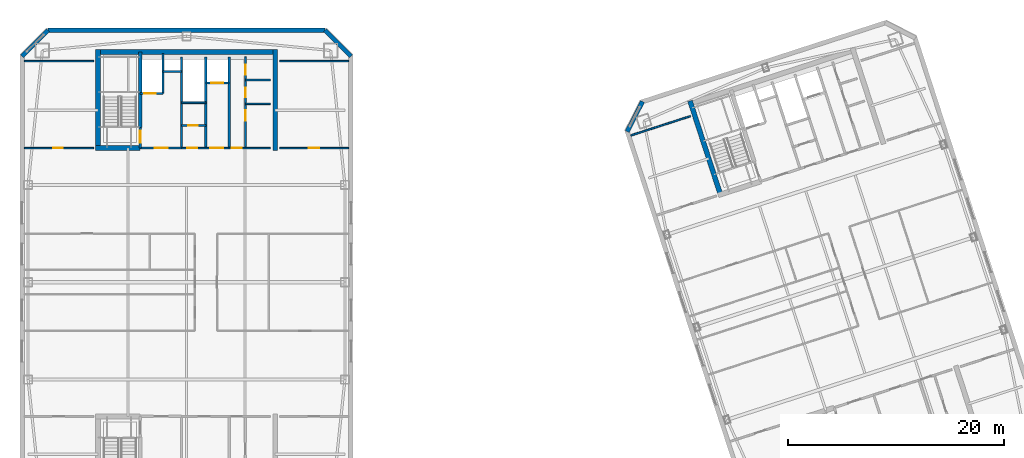
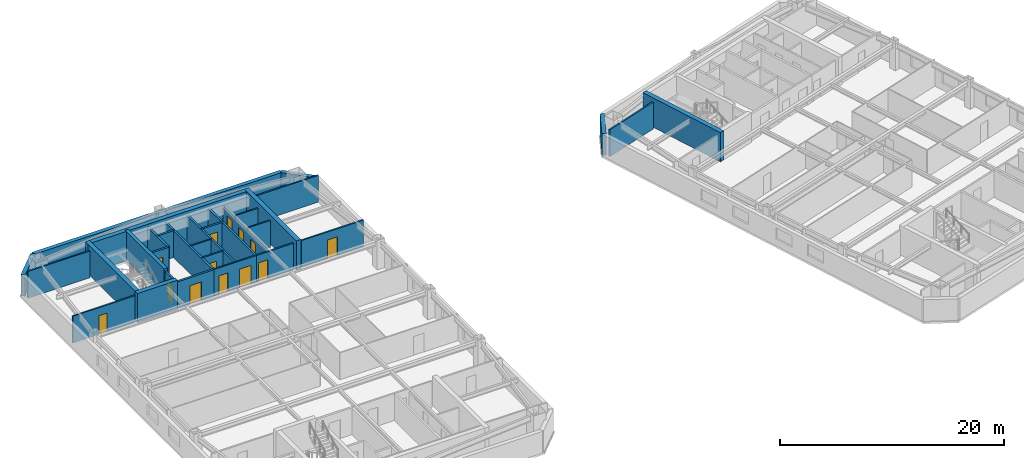
# One storey, part 14 of 20: 31 walls, 13 doors, 13 openings.
"""IFC4 building model written with IfcOpenShell, lengths in metres."""

from ifc_helpers import new_model, si_unit, direction, frame, frame_2d, origin, place, context, subcontext, project, spatial, rectangle, extrude, material, layer, layer_set, type_object, element, fill, save


model = new_model("IFC4")

# Units and contexts
model_context = context("Model", 3, precision=1e-05, world=origin(), true_north=direction((0.0, 1.0)))
body_context = subcontext(model_context, "Body", "Model", "MODEL_VIEW")
ifc_project = project(units=[si_unit("LENGTHUNIT", "METRE"), si_unit("AREAUNIT", "SQUARE_METRE"), si_unit("VOLUMEUNIT", "CUBIC_METRE"), si_unit("PLANEANGLEUNIT", "RADIAN"), si_unit("MASSUNIT", "GRAM", prefix="KILO")], contexts=[model_context])

# Site, building, storey
site_placement = place(None, origin())
site = spatial("IfcSite", under=ifc_project, at=site_placement, CompositionType="ELEMENT")
building_placement = place(site_placement, origin())
building = spatial("IfcBuilding", under=site, at=building_placement, Name="Qiaolan Cultural Towers", CompositionType="ELEMENT")
storey_placement = place(building_placement, frame((0.0, 0.0, 244.0)))
storey = spatial("IfcBuildingStorey", under=building, at=storey_placement, Name="L66", CompositionType="ELEMENT", Elevation=244.0)

# Walls
ifc_material_1 = material(Name="Concrete C50", Category="concrete")
ifc_layer_1 = layer(ifc_material_1, 0.35009765625)
ifc_layer_set_1 = layer_set([ifc_layer_1], Name="Concrete C50")
wall_type_1 = type_object("IfcWallType", Name="WL-CORE-350", PredefinedType="SHEAR", material=ifc_layer_set_1)
wall_1_placement = place(storey_placement, frame((25.719970703125, 48.300048828125, 0.0), z_axis=(0.0, 0.0, 1.0), x_axis=(0.0, 1.0, 0.0)))
element("IfcWall", 1, at=wall_1_placement, inside=storey, type_object=wall_type_1, Name="L66 T1-CN Stair Core Dividing Web", PredefinedType="SHEAR", context=body_context, shape_type="SweptSolid", body=[
    extrude(rectangle(XDim=6.97998046875, YDim=0.35009765625, at=frame_2d((3.489990234375, 0.0))), origin(), (0.0, 0.0, 1.0), 3.199951171875),
])
ifc_material_2 = material(Name="Concrete C50", Category="concrete")
ifc_layer_2 = layer(ifc_material_2, 0.449951171875)
ifc_layer_set_2 = layer_set([ifc_layer_2], Name="Concrete C50")
wall_type_2 = type_object("IfcWallType", Name="WL-CORE-450", PredefinedType="SHEAR", material=ifc_layer_set_2)
wall_2_placement = place(storey_placement, frame((21.574951171875, 55.280029296875, 0.0), z_axis=(0.0, 0.0, 1.0), x_axis=(1.0, 0.0, 0.0)))
element("IfcWall", 2, at=wall_2_placement, inside=storey, type_object=wall_type_2, Name="L66 T1-CN Outer Core Shear Wall", PredefinedType="SHEAR", context=body_context, shape_type="SweptSolid", body=[
    extrude(rectangle(XDim=16.85009765625, YDim=0.449951171875, at=frame_2d((8.425048828125, 0.0))), origin(), (0.0, 0.0, 1.0), 3.199951171875),
])
for number, where, z_axis, x_axis, name in (
    (3, (21.800048828125, 46.175048828125, 0.0), (0.0, 0.0, 1.0), (0.0, 1.0, 0.0), "L66 T1-CN West Core Shear Wall"),
    (4, (38.199951171875, 46.175048828125, 0.0), (0.0, 0.0, 1.0), (0.0, 1.0, 0.0), "L66 T1-CN East Core Shear Wall"),
):
    element("IfcWall", number, at=place(storey_placement, frame(where, z_axis=z_axis, x_axis=x_axis)), inside=storey, type_object=wall_type_2, Name=name, PredefinedType="SHEAR", context=body_context, shape_type="SweptSolid", body=[
        extrude(rectangle(XDim=9.329833984375, YDim=0.449951171875, at=frame_2d((4.6650390625, 0.0))), origin(), (0.0, 0.0, 1.0), 3.199951171875),
    ])
wall_3_placement = place(storey_placement, frame((21.574951171875, 46.39990234375, 0.0), z_axis=(0.0, 0.0, 1.0), x_axis=(1.0, 0.0, 0.0)))
element("IfcWall", 5, at=wall_3_placement, inside=storey, type_object=wall_type_2, Name="L66 T1-CN Stair Front Shear Wall", PredefinedType="SHEAR", context=body_context, shape_type="SweptSolid", body=[
    extrude(rectangle(XDim=4.14501953125, YDim=0.449951171875, at=frame_2d((2.072509765625, 0.0))), origin(), (0.0, 0.0, 1.0), 3.199951171875),
])
wall_4_placement = place(storey_placement, frame((79.4423828125, 41.899169921875, 0.0), z_axis=(0.0, 0.0, 1.0), x_axis=(-0.309035778627, 0.951050412717, 0.0)))
element("IfcWall", 6, at=wall_4_placement, inside=storey, type_object=wall_type_2, Name="L66 T2-CN West Core Shear Wall", PredefinedType="SHEAR", context=body_context, shape_type="SweptSolid", body=[
    extrude(rectangle(XDim=9.330078125, YDim=0.449951171875, at=frame_2d((4.6650390625, 0.0))), origin(), (0.0, 0.0, 1.0), 3.199951171875),
])
ifc_material_3 = material(Name="Precast Concrete C50 Honed Stone Pier", Category="masonry")
ifc_layer_3 = layer(ifc_material_3, 0.39990234375)
ifc_layer_set_3 = layer_set([ifc_layer_3], Name="Precast Concrete C50 Honed Stone Pier")
wall_type_3 = type_object("IfcWallType", Name="WL-EXT-PIER-400", PredefinedType="SOLIDWALL", material=ifc_layer_set_3)
wall_5_placement = place(storey_placement, frame((14.800048828125, 54.89990234375, 0.0), z_axis=(0.0, 0.0, 1.0), x_axis=(0.707070815327, 0.707142745217, 0.0)))
element("IfcWall", 7, at=wall_5_placement, inside=storey, type_object=wall_type_3, Name="L66 West Tower Precast Pier Facade Wall F2", PredefinedType="SOLIDWALL", context=body_context, shape_type="SweptSolid", body=[
    extrude(rectangle(XDim=3.39404296875, YDim=0.39990234375, at=frame_2d((1.697021484375, 0.0))), origin(), (0.0, 0.0, 1.0), 2.360107421875),
])
wall_6_placement = place(storey_placement, frame((17.199951171875, 57.300048828125, 0.0), z_axis=(0.0, 0.0, 1.0), x_axis=(1.0, 0.0, 0.0)))
element("IfcWall", 8, at=wall_6_placement, inside=storey, type_object=wall_type_3, Name="L66 West Tower Precast Pier Facade Wall F3", PredefinedType="SOLIDWALL", context=body_context, shape_type="SweptSolid", body=[
    extrude(rectangle(XDim=25.60009765625, YDim=0.39990234375, at=frame_2d((12.800048828125, 0.0))), origin(), (0.0, 0.0, 1.0), 2.360107421875),
])
wall_7_placement = place(storey_placement, frame((42.800048828125, 57.300048828125, 0.0), z_axis=(0.0, 0.0, 1.0), x_axis=(0.707070815327, -0.707142745217, 0.0)))
element("IfcWall", 9, at=wall_7_placement, inside=storey, type_object=wall_type_3, Name="L66 West Tower Precast Pier Facade Wall F4", PredefinedType="SOLIDWALL", context=body_context, shape_type="SweptSolid", body=[
    extrude(rectangle(XDim=3.39404296875, YDim=0.39990234375, at=frame_2d((1.697021484375, 0.0))), origin(), (0.0, 0.0, 1.0), 2.360107421875),
])
wall_8_placement = place(storey_placement, frame((70.752197265625, 47.93408203125, 0.0), z_axis=(0.0, 0.0, 1.0), x_axis=(0.453949291228, 0.891027519774, 0.0)))
element("IfcWall", 10, at=wall_8_placement, inside=storey, type_object=wall_type_3, Name="L66 East Tower Precast Pier Facade Wall F2", PredefinedType="SOLIDWALL", context=body_context, shape_type="SweptSolid", body=[
    extrude(rectangle(XDim=3.111328125, YDim=0.39990234375, at=frame_2d((1.5556640625, 0.0))), origin(), (0.0, 0.0, 1.0), 2.360107421875),
])

# Wall, opening, door
ifc_material_4 = material(Name="Concrete C35 Fire Wall", Category="concrete")
ifc_layer_4 = layer(ifc_material_4, 0.199951171875)
ifc_layer_set_4 = layer_set([ifc_layer_4], Name="Concrete C35 Fire Wall")
wall_type_4 = type_object("IfcWallType", Name="WL-FIRE-200", PredefinedType="PARTITIONING", material=ifc_layer_set_4)
wall_9_placement = place(storey_placement, frame((25.719970703125, 46.39990234375, 0.0), z_axis=(0.0, 0.0, 1.0), x_axis=(0.0, 1.0, 0.0)))
wall_9 = element("IfcWall", 11, at=wall_9_placement, inside=storey, type_object=wall_type_4, Name="L66 T1-CN Smokeproof Stair Entry Wall", PredefinedType="PARTITIONING", context=body_context, shape_type="SweptSolid", body=[
    extrude(rectangle(XDim=1.900146484375, YDim=0.199951171875, at=frame_2d((0.9501953125, 0.0))), origin(), (0.0, 0.0, 1.0), 2.925048828125),
])
opening_1_placement = place(wall_9_placement, frame((0.52001953125, 0.0, 0.0)))
opening_1 = element("IfcOpeningElement", 12, at=opening_1_placement, cuts=wall_9, Name="Opening FD-04", PredefinedType="OPENING", context=body_context, shape_type="SweptSolid", body=[
    extrude(rectangle(XDim=1.10009765625, YDim=2.050048828125, at=frame_2d((0.550048828125, 1.02490234375))), frame((0.0, 0.10986328125, 0.0), z_axis=(0.0, -1.0, 0.0), x_axis=(1.0, 0.0, 0.0)), (0.0, 0.0, 1.0), 0.219970703125),
])
ifc_material_5 = material(Name="Galvanized Steel Command Fire Door", Category="steel")
door_type_1 = type_object("IfcDoorType", Name="DR-FD90-1100", OperationType="NOTDEFINED", PredefinedType="DOOR", material=ifc_material_5)
door_1_placement = place(opening_1_placement, origin())
door_1 = element("IfcDoor", 13, at=door_1_placement, inside=storey, type_object=door_type_1, Name="L66 ST-W2 Smokeproof Stair Fire Door", OperationType="SINGLE_SWING_LEFT", OverallHeight=2.050048828125, OverallWidth=1.10009765625, PredefinedType="DOOR", context=body_context, shape_type="SweptSolid", body=[
    extrude(rectangle(XDim=1.10009765625, YDim=2.050048828125, at=frame_2d((0.550048828125, 1.02490234375))), frame((0.0, 0.02490234375, 0.0), z_axis=(0.0, -1.0, 0.0), x_axis=(1.0, 0.0, 0.0)), (0.0, 0.0, 1.0), 0.050048828125),
])
fill(opening_1, door_1)

# Wall
wall_10_placement = place(storey_placement, frame((29.550048828125, 46.39990234375, 0.0), z_axis=(0.0, 0.0, 1.0), x_axis=(0.0, 1.0, 0.0)))
element("IfcWall", 14, at=wall_10_placement, inside=storey, type_object=wall_type_4, Name="L66 T1-CN Firefighting Zone Wall", PredefinedType="PARTITIONING", context=body_context, shape_type="SweptSolid", body=[
    extrude(rectangle(XDim=8.43017578125, YDim=0.199951171875, at=frame_2d((4.215087890625, 0.0))), origin(), (0.0, 0.0, 1.0), 2.925048828125),
])

# Wall, opening, door
wall_11_placement = place(storey_placement, frame((25.719970703125, 46.39990234375, 0.0), z_axis=(0.0, 0.0, 1.0), x_axis=(1.0, 0.0, 0.0)))
wall_11 = element("IfcWall", 15, at=wall_11_placement, inside=storey, type_object=wall_type_4, Name="L66 T1-CN Firefighting Lobby Front Wall", PredefinedType="PARTITIONING", context=body_context, shape_type="SweptSolid", body=[
    extrude(rectangle(XDim=3.830078125, YDim=0.199951171875, at=frame_2d((1.9150390625, 0.0))), origin(), (0.0, 0.0, 1.0), 2.925048828125),
])
opening_2_placement = place(wall_11_placement, frame((1.35009765625, 0.0, 0.0)))
opening_2 = element("IfcOpeningElement", 16, at=opening_2_placement, cuts=wall_11, Name="Opening FD-03", PredefinedType="OPENING", context=body_context, shape_type="SweptSolid", body=[
    extrude(rectangle(XDim=1.199951171875, YDim=2.050048828125, at=frame_2d((0.60009765625, 1.02490234375))), frame((0.0, 0.10986328125, 0.0), z_axis=(0.0, -1.0, 0.0), x_axis=(1.0, 0.0, 0.0)), (0.0, 0.0, 1.0), 0.219970703125),
])
ifc_material_6 = material(Name="Galvanized Steel Smokeproof Lobby Fire Door", Category="steel")
door_type_2 = type_object("IfcDoorType", Name="DR-FD90-1200", OperationType="NOTDEFINED", PredefinedType="DOOR", material=ifc_material_6)
door_2_placement = place(opening_2_placement, origin())
door_2 = element("IfcDoor", 17, at=door_2_placement, inside=storey, type_object=door_type_2, Name="L66 FFL-W2 Firefighting Lobby Fire Door", OperationType="SINGLE_SWING_LEFT", OverallHeight=2.050048828125, OverallWidth=1.199951171875, PredefinedType="DOOR", context=body_context, shape_type="SweptSolid", body=[
    extrude(rectangle(XDim=1.199951171875, YDim=2.050048828125, at=frame_2d((0.60009765625, 1.02490234375))), frame((0.0, 0.02490234375, 0.0), z_axis=(0.0, -1.0, 0.0), x_axis=(1.0, 0.0, 0.0)), (0.0, 0.0, 1.0), 0.050048828125),
])
fill(opening_2, door_2)

wall_12_placement = place(storey_placement, frame((25.719970703125, 51.449951171875, 0.0), z_axis=(0.0, 0.0, 1.0), x_axis=(1.0, 0.0, 0.0)))
wall_12 = element("IfcWall", 18, at=wall_12_placement, inside=storey, type_object=wall_type_4, Name="L66 T1-CN Firefighting Shaft Front Wall", PredefinedType="PARTITIONING", context=body_context, shape_type="SweptSolid", body=[
    extrude(rectangle(XDim=2.10009765625, YDim=0.199951171875, at=frame_2d((1.050048828125, 0.0))), origin(), (0.0, 0.0, 1.0), 2.925048828125),
])
opening_3_placement = place(wall_12_placement, frame((0.35009765625, 0.0, 0.0)))
opening_3 = element("IfcOpeningElement", 19, at=opening_3_placement, cuts=wall_12, Name="Opening LD-01", PredefinedType="OPENING", context=body_context, shape_type="SweptSolid", body=[
    extrude(rectangle(XDim=1.10009765625, YDim=2.050048828125, at=frame_2d((0.550048828125, 1.02490234375))), frame((0.0, 0.10986328125, 0.0), z_axis=(0.0, -1.0, 0.0), x_axis=(1.0, 0.0, 0.0)), (0.0, 0.0, 1.0), 0.219970703125),
])
ifc_material_7 = material(Name="Brushed Stainless Steel S30408 Centre-Parting Lift Landing Door", Category="steel")
door_type_3 = type_object("IfcDoorType", Name="DR-LIFT-1100", OperationType="NOTDEFINED", PredefinedType="DOOR", material=ifc_material_7)
door_3_placement = place(opening_3_placement, origin())
door_3 = element("IfcDoor", 20, at=door_3_placement, inside=storey, type_object=door_type_3, Name="L66 FFL-W2 Firefighting Lift Landing Door", OperationType="DOUBLE_DOOR_SLIDING", OverallHeight=2.050048828125, OverallWidth=1.10009765625, PredefinedType="DOOR", context=body_context, shape_type="SweptSolid", body=[
    extrude(rectangle(XDim=1.10009765625, YDim=2.050048828125, at=frame_2d((0.550048828125, 1.02490234375))), frame((0.0, 0.02490234375, 0.0), z_axis=(0.0, -1.0, 0.0), x_axis=(1.0, 0.0, 0.0)), (0.0, 0.0, 1.0), 0.050048828125),
])
fill(opening_3, door_3)

# Walls
wall_13_placement = place(storey_placement, frame((27.820068359375, 51.449951171875, 0.0), z_axis=(0.0, 0.0, 1.0), x_axis=(0.0, 1.0, 0.0)))
element("IfcWall", 21, at=wall_13_placement, inside=storey, type_object=wall_type_4, Name="L66 T1-CN Firefighting Hoistway East Wall", PredefinedType="PARTITIONING", context=body_context, shape_type="SweptSolid", body=[
    extrude(rectangle(XDim=3.699951171875, YDim=0.199951171875, at=frame_2d((1.85009765625, 0.0))), origin(), (0.0, 0.0, 1.0), 2.925048828125),
])
wall_14_placement = place(storey_placement, frame((27.820068359375, 53.47998046875, 0.0), z_axis=(0.0, 0.0, 1.0), x_axis=(1.0, 0.0, 0.0)))
element("IfcWall", 22, at=wall_14_placement, inside=storey, type_object=wall_type_4, Name="L66 T1-CN Pressurization Shaft Front Wall", PredefinedType="PARTITIONING", context=body_context, shape_type="SweptSolid", body=[
    extrude(rectangle(XDim=1.72998046875, YDim=0.199951171875, at=frame_2d((0.864990234375, 0.0))), origin(), (0.0, 0.0, 1.0), 2.925048828125),
])
for number, where, z_axis, x_axis, name in (
    (23, (33.949951171875, 46.39990234375, 0.0), (0.0, 0.0, 1.0), (0.0, 1.0, 0.0), "L66 T1-CN Lift Core East Wall"),
    (24, (31.780029296875, 46.39990234375, 0.0), (0.0, 0.0, 1.0), (0.0, 1.0, 0.0), "L66 T1-CN Sky Shuttle Lift Zone Wall"),
):
    element("IfcWall", number, at=place(storey_placement, frame(where, z_axis=z_axis, x_axis=x_axis)), inside=storey, type_object=wall_type_4, Name=name, PredefinedType="PARTITIONING", context=body_context, shape_type="SweptSolid", body=[
        extrude(rectangle(XDim=8.43017578125, YDim=0.199951171875, at=frame_2d((4.215087890625, 0.0))), origin(), (0.0, 0.0, 1.0), 2.925048828125),
    ])

# Wall, opening, door
wall_15_placement = place(storey_placement, frame((31.780029296875, 52.419921875, 0.0), z_axis=(0.0, 0.0, 1.0), x_axis=(1.0, 0.0, 0.0)))
wall_15 = element("IfcWall", 25, at=wall_15_placement, inside=storey, type_object=wall_type_4, Name="L66 T1-CN Shuttle Lift Shaft Front", PredefinedType="PARTITIONING", context=body_context, shape_type="SweptSolid", body=[
    extrude(rectangle(XDim=2.169921875, YDim=0.199951171875, at=frame_2d((1.0849609375, 0.0))), origin(), (0.0, 0.0, 1.0), 2.925048828125),
])
opening_4_placement = place(wall_15_placement, frame((0.52001953125, 0.0, 0.0)))
opening_4 = element("IfcOpeningElement", 26, at=opening_4_placement, cuts=wall_15, Name="Opening LD-01", PredefinedType="OPENING", context=body_context, shape_type="SweptSolid", body=[
    extrude(rectangle(XDim=1.10009765625, YDim=2.050048828125, at=frame_2d((0.550048828125, 1.02490234375))), frame((0.0, 0.10986328125, 0.0), z_axis=(0.0, -1.0, 0.0), x_axis=(1.0, 0.0, 0.0)), (0.0, 0.0, 1.0), 0.219970703125),
])
door_4_placement = place(opening_4_placement, origin())
door_4 = element("IfcDoor", 27, at=door_4_placement, inside=storey, type_object=door_type_3, Name="L66 Sky Shuttle Lift Landing Door", OperationType="DOUBLE_DOOR_SLIDING", OverallHeight=2.050048828125, OverallWidth=1.10009765625, PredefinedType="DOOR", context=body_context, shape_type="SweptSolid", body=[
    extrude(rectangle(XDim=1.10009765625, YDim=2.050048828125, at=frame_2d((0.550048828125, 1.02490234375))), frame((0.0, 0.02490234375, 0.0), z_axis=(0.0, -1.0, 0.0), x_axis=(1.0, 0.0, 0.0)), (0.0, 0.0, 1.0), 0.050048828125),
])
fill(opening_4, door_4)

# Wall, openings, doors
ifc_material_8 = material(Name="Autoclaved Aerated Concrete Block B06", Category="concrete")
ifc_layer_5 = layer(ifc_material_8, 0.14990234375)
ifc_layer_set_5 = layer_set([ifc_layer_5], Name="Autoclaved Aerated Concrete Block B06")
wall_type_5 = type_object("IfcWallType", Name="WL-PART-150", PredefinedType="PARTITIONING", material=ifc_layer_set_5)
wall_16_placement = place(storey_placement, frame((29.550048828125, 46.39990234375, 0.0), z_axis=(0.0, 0.0, 1.0), x_axis=(1.0, 0.0, 0.0)))
wall_16 = element("IfcWall", 28, at=wall_16_placement, inside=storey, type_object=wall_type_5, Name="L66 T1-CN High-Zone Lift Lobby Wall", PredefinedType="PARTITIONING", context=body_context, shape_type="SweptSolid", body=[
    extrude(rectangle(XDim=4.39990234375, YDim=0.14990234375, at=frame_2d((2.199951171875, 0.0))), origin(), (0.0, 0.0, 1.0), 2.925048828125),
])
opening_5_placement = place(wall_16_placement, frame((0.5, 0.0, 0.0)))
opening_5 = element("IfcOpeningElement", 29, at=opening_5_placement, cuts=wall_16, Name="Opening ID-05", PredefinedType="OPENING", context=body_context, shape_type="SweptSolid", body=[
    extrude(rectangle(XDim=0.949951171875, YDim=2.050048828125, at=frame_2d((0.47509765625, 1.02490234375))), frame((0.0, 0.0849609375, 0.0), z_axis=(0.0, -1.0, 0.0), x_axis=(1.0, 0.0, 0.0)), (0.0, 0.0, 1.0), 0.169921875),
])
opening_6_placement = place(wall_16_placement, frame((2.64990234375, 0.0, 0.0)))
opening_6 = element("IfcOpeningElement", 30, at=opening_6_placement, cuts=wall_16, Name="Opening FD-06", PredefinedType="OPENING", context=body_context, shape_type="SweptSolid", body=[
    extrude(rectangle(XDim=1.199951171875, YDim=2.050048828125, at=frame_2d((0.60009765625, 1.02490234375))), frame((0.0, 0.0849609375, 0.0), z_axis=(0.0, -1.0, 0.0), x_axis=(1.0, 0.0, 0.0)), (0.0, 0.0, 1.0), 0.169921875),
])
ifc_material_9 = material(Name="Painted Steel Plant Fire Door", Category="steel")
door_type_4 = type_object("IfcDoorType", Name="DR-FD60-1200", OperationType="NOTDEFINED", PredefinedType="DOOR", material=ifc_material_9)
door_5_placement = place(opening_6_placement, origin())
door_5 = element("IfcDoor", 31, at=door_5_placement, inside=storey, type_object=door_type_4, Name="L66 Sky Shuttle Lift Lobby Door", OperationType="SINGLE_SWING_RIGHT", OverallHeight=2.050048828125, OverallWidth=1.199951171875, PredefinedType="DOOR", context=body_context, shape_type="SweptSolid", body=[
    extrude(rectangle(XDim=1.199951171875, YDim=2.050048828125, at=frame_2d((0.60009765625, 1.02490234375))), frame((0.0, 0.02490234375, 0.0), z_axis=(0.0, -1.0, 0.0), x_axis=(1.0, 0.0, 0.0)), (0.0, 0.0, 1.0), 0.050048828125),
])
fill(opening_6, door_5)
ifc_material_10 = material(Name="Fire-Rated Laminate Accessible Core Door", Category="timber")
door_type_5 = type_object("IfcDoorType", Name="DR-INT-950", OperationType="NOTDEFINED", PredefinedType="DOOR", material=ifc_material_10)
door_6_placement = place(opening_5_placement, origin())
door_6 = element("IfcDoor", 32, at=door_6_placement, inside=storey, type_object=door_type_5, Name="L66 Reclaimed Server Room Door", OperationType="SINGLE_SWING_LEFT", OverallHeight=2.050048828125, OverallWidth=0.949951171875, PredefinedType="DOOR", context=body_context, shape_type="SweptSolid", body=[
    extrude(rectangle(XDim=0.949951171875, YDim=2.050048828125, at=frame_2d((0.47509765625, 1.02490234375))), frame((0.0, 0.02490234375, 0.0), z_axis=(0.0, -1.0, 0.0), x_axis=(1.0, 0.0, 0.0)), (0.0, 0.0, 1.0), 0.050048828125),
])
fill(opening_5, door_6)

# Wall
wall_17_placement = place(storey_placement, frame((29.550048828125, 50.60009765625, 0.0), z_axis=(0.0, 0.0, 1.0), x_axis=(1.0, 0.0, 0.0)))
element("IfcWall", 33, at=wall_17_placement, inside=storey, type_object=wall_type_5, Name="L66 T1-CN High-Zone Smoke Shaft Split", PredefinedType="PARTITIONING", context=body_context, shape_type="SweptSolid", body=[
    extrude(rectangle(XDim=2.22998046875, YDim=0.14990234375, at=frame_2d((1.114990234375, 0.0))), origin(), (0.0, 0.0, 1.0), 2.925048828125),
])

# Wall, opening, door
wall_18_placement = place(storey_placement, frame((29.550048828125, 48.5, 0.0), z_axis=(0.0, 0.0, 1.0), x_axis=(1.0, 0.0, 0.0)))
wall_18 = element("IfcWall", 34, at=wall_18_placement, inside=storey, type_object=wall_type_5, Name="L66 T1-CN High-Zone Archive Suite Partition", PredefinedType="PARTITIONING", context=body_context, shape_type="SweptSolid", body=[
    extrude(rectangle(XDim=2.22998046875, YDim=0.14990234375, at=frame_2d((1.114990234375, 0.0))), origin(), (0.0, 0.0, 1.0), 2.925048828125),
])
opening_7_placement = place(wall_18_placement, frame((0.60009765625, 0.0, 0.0)))
opening_7 = element("IfcOpeningElement", 35, at=opening_7_placement, cuts=wall_18, Name="Opening ID-06", PredefinedType="OPENING", context=body_context, shape_type="SweptSolid", body=[
    extrude(rectangle(XDim=0.89990234375, YDim=2.050048828125, at=frame_2d((0.449951171875, 1.02490234375))), frame((0.0, 0.0849609375, 0.0), z_axis=(0.0, -1.0, 0.0), x_axis=(1.0, 0.0, 0.0)), (0.0, 0.0, 1.0), 0.169921875),
])
ifc_material_11 = material(Name="Fire-Rated Laminate Core Service Door", Category="timber")
door_type_6 = type_object("IfcDoorType", Name="DR-INT-900", OperationType="NOTDEFINED", PredefinedType="DOOR", material=ifc_material_11)
door_7_placement = place(opening_7_placement, origin())
door_7 = element("IfcDoor", 36, at=door_7_placement, inside=storey, type_object=door_type_6, Name="L66 Archive Vault Inner Door", OperationType="SINGLE_SWING_LEFT", OverallHeight=2.050048828125, OverallWidth=0.89990234375, PredefinedType="DOOR", context=body_context, shape_type="SweptSolid", body=[
    extrude(rectangle(XDim=0.89990234375, YDim=2.050048828125, at=frame_2d((0.449951171875, 1.02490234375))), frame((0.0, 0.02490234375, 0.0), z_axis=(0.0, -1.0, 0.0), x_axis=(1.0, 0.0, 0.0)), (0.0, 0.0, 1.0), 0.050048828125),
])
fill(opening_7, door_7)

wall_19_placement = place(storey_placement, frame((33.949951171875, 46.39990234375, 0.0), z_axis=(0.0, 0.0, 1.0), x_axis=(1.0, 0.0, 0.0)))
wall_19 = element("IfcWall", 37, at=wall_19_placement, inside=storey, type_object=wall_type_5, Name="L66 T1-CN Sanitary Core Front Wall", PredefinedType="PARTITIONING", context=body_context, shape_type="SweptSolid", body=[
    extrude(rectangle(XDim=3.800048828125, YDim=0.14990234375, at=frame_2d((1.89990234375, 0.0))), origin(), (0.0, 0.0, 1.0), 2.925048828125),
])
opening_8_placement = place(wall_19_placement, frame((0.219970703125, 0.0, 0.0)))
opening_8 = element("IfcOpeningElement", 38, at=opening_8_placement, cuts=wall_19, Name="Opening ID-05", PredefinedType="OPENING", context=body_context, shape_type="SweptSolid", body=[
    extrude(rectangle(XDim=0.949951171875, YDim=2.050048828125, at=frame_2d((0.47509765625, 1.02490234375))), frame((0.0, 0.0849609375, 0.0), z_axis=(0.0, -1.0, 0.0), x_axis=(1.0, 0.0, 0.0)), (0.0, 0.0, 1.0), 0.169921875),
])
door_8_placement = place(opening_8_placement, origin())
door_8 = element("IfcDoor", 39, at=door_8_placement, inside=storey, type_object=door_type_5, Name="L66 Sanitary Vestibule Door", OperationType="SINGLE_SWING_LEFT", OverallHeight=2.050048828125, OverallWidth=0.949951171875, PredefinedType="DOOR", context=body_context, shape_type="SweptSolid", body=[
    extrude(rectangle(XDim=0.949951171875, YDim=2.050048828125, at=frame_2d((0.47509765625, 1.02490234375))), frame((0.0, 0.02490234375, 0.0), z_axis=(0.0, -1.0, 0.0), x_axis=(1.0, 0.0, 0.0)), (0.0, 0.0, 1.0), 0.050048828125),
])
fill(opening_8, door_8)

# Wall, openings, doors
wall_20_placement = place(storey_placement, frame((35.449951171875, 46.39990234375, 0.0), z_axis=(0.0, 0.0, 1.0), x_axis=(0.0, 1.0, 0.0)))
wall_20 = element("IfcWall", 40, at=wall_20_placement, inside=storey, type_object=wall_type_5, Name="L66 T1-CN Sanitary Vestibule Wall", PredefinedType="PARTITIONING", context=body_context, shape_type="SweptSolid", body=[
    extrude(rectangle(XDim=8.43017578125, YDim=0.14990234375, at=frame_2d((4.215087890625, 0.0))), origin(), (0.0, 0.0, 1.0), 2.514892578125),
])
opening_9_placement = place(wall_20_placement, frame((2.550048828125, 0.0, 0.0)))
opening_9 = element("IfcOpeningElement", 41, at=opening_9_placement, cuts=wall_20, Name="Opening ID-05", PredefinedType="OPENING", context=body_context, shape_type="SweptSolid", body=[
    extrude(rectangle(XDim=0.949951171875, YDim=2.050048828125, at=frame_2d((0.47509765625, 1.02490234375))), frame((0.0, 0.0849609375, 0.0), z_axis=(0.0, -1.0, 0.0), x_axis=(1.0, 0.0, 0.0)), (0.0, 0.0, 1.0), 0.169921875),
])
opening_10_placement = place(wall_20_placement, frame((4.699951171875, 0.0, 0.0)))
opening_10 = element("IfcOpeningElement", 42, at=opening_10_placement, cuts=wall_20, Name="Opening ID-06", PredefinedType="OPENING", context=body_context, shape_type="SweptSolid", body=[
    extrude(rectangle(XDim=0.89990234375, YDim=2.050048828125, at=frame_2d((0.449951171875, 1.02490234375))), frame((0.0, 0.0849609375, 0.0), z_axis=(0.0, -1.0, 0.0), x_axis=(1.0, 0.0, 0.0)), (0.0, 0.0, 1.0), 0.169921875),
])
opening_11_placement = place(wall_20_placement, frame((6.800048828125, 0.0, 0.0)))
opening_11 = element("IfcOpeningElement", 43, at=opening_11_placement, cuts=wall_20, Name="Opening ID-06", PredefinedType="OPENING", context=body_context, shape_type="SweptSolid", body=[
    extrude(rectangle(XDim=0.89990234375, YDim=2.050048828125, at=frame_2d((0.449951171875, 1.02490234375))), frame((0.0, 0.0849609375, 0.0), z_axis=(0.0, -1.0, 0.0), x_axis=(1.0, 0.0, 0.0)), (0.0, 0.0, 1.0), 0.169921875),
])
door_9_placement = place(opening_10_placement, origin())
door_9 = element("IfcDoor", 44, at=door_9_placement, inside=storey, type_object=door_type_6, Name="L66 Men Washroom Door", OperationType="SINGLE_SWING_LEFT", OverallHeight=2.050048828125, OverallWidth=0.89990234375, PredefinedType="DOOR", context=body_context, shape_type="SweptSolid", body=[
    extrude(rectangle(XDim=0.89990234375, YDim=2.050048828125, at=frame_2d((0.449951171875, 1.02490234375))), frame((0.0, 0.02490234375, 0.0), z_axis=(0.0, -1.0, 0.0), x_axis=(1.0, 0.0, 0.0)), (0.0, 0.0, 1.0), 0.050048828125),
])
fill(opening_10, door_9)
door_10_placement = place(opening_11_placement, origin())
door_10 = element("IfcDoor", 45, at=door_10_placement, inside=storey, type_object=door_type_6, Name="L66 Women Washroom Door", OperationType="SINGLE_SWING_RIGHT", OverallHeight=2.050048828125, OverallWidth=0.89990234375, PredefinedType="DOOR", context=body_context, shape_type="SweptSolid", body=[
    extrude(rectangle(XDim=0.89990234375, YDim=2.050048828125, at=frame_2d((0.449951171875, 1.02490234375))), frame((0.0, 0.02490234375, 0.0), z_axis=(0.0, -1.0, 0.0), x_axis=(1.0, 0.0, 0.0)), (0.0, 0.0, 1.0), 0.050048828125),
])
fill(opening_11, door_10)
door_11_placement = place(opening_9_placement, origin())
door_11 = element("IfcDoor", 46, at=door_11_placement, inside=storey, type_object=door_type_5, Name="L66 Accessible Family Washroom Door", OperationType="SINGLE_SWING_LEFT", OverallHeight=2.050048828125, OverallWidth=0.949951171875, PredefinedType="DOOR", context=body_context, shape_type="SweptSolid", body=[
    extrude(rectangle(XDim=0.949951171875, YDim=2.050048828125, at=frame_2d((0.47509765625, 1.02490234375))), frame((0.0, 0.02490234375, 0.0), z_axis=(0.0, -1.0, 0.0), x_axis=(1.0, 0.0, 0.0)), (0.0, 0.0, 1.0), 0.050048828125),
])
fill(opening_9, door_11)

# Walls
for number, where, z_axis, x_axis, name in (
    (47, (35.449951171875, 50.5, 0.0), (0.0, 0.0, 1.0), (1.0, 0.0, 0.0), "L66 T1-CN Restroom Split Wall 1"),
    (48, (35.449951171875, 52.699951171875, 0.0), (0.0, 0.0, 1.0), (1.0, 0.0, 0.0), "L66 T1-CN Restroom Split Wall 2"),
):
    element("IfcWall", number, at=place(storey_placement, frame(where, z_axis=z_axis, x_axis=x_axis)), inside=storey, type_object=wall_type_5, Name=name, PredefinedType="PARTITIONING", context=body_context, shape_type="SweptSolid", body=[
        extrude(rectangle(XDim=2.300048828125, YDim=0.14990234375, at=frame_2d((1.14990234375, 0.0))), origin(), (0.0, 0.0, 1.0), 2.925048828125),
    ])
wall_21_placement = place(storey_placement, frame((15.0, 54.449951171875, 0.0), z_axis=(0.0, 0.0, 1.0), x_axis=(1.0, 0.0, 0.0)))
element("IfcWall", 49, at=wall_21_placement, inside=storey, type_object=wall_type_5, Name="L66 T1 Flank Wall FLK-NW", PredefinedType="PARTITIONING", context=body_context, shape_type="SweptSolid", body=[
    extrude(rectangle(XDim=6.39990234375, YDim=0.14990234375, at=frame_2d((3.199951171875, 0.0))), origin(), (0.0, 0.0, 1.0), 2.925048828125),
])

# Wall, opening, door
wall_22_placement = place(storey_placement, frame((15.0, 46.39990234375, 0.0), z_axis=(0.0, 0.0, 1.0), x_axis=(1.0, 0.0, 0.0)))
wall_22 = element("IfcWall", 50, at=wall_22_placement, inside=storey, type_object=wall_type_5, Name="L66 T1 Flank Front FLK-NW", PredefinedType="PARTITIONING", context=body_context, shape_type="SweptSolid", body=[
    extrude(rectangle(XDim=6.39990234375, YDim=0.14990234375, at=frame_2d((3.199951171875, 0.0))), origin(), (0.0, 0.0, 1.0), 2.925048828125),
])
opening_12_placement = place(wall_22_placement, frame((2.68798828125, 0.0, 0.0)))
opening_12 = element("IfcOpeningElement", 51, at=opening_12_placement, cuts=wall_22, Name="Opening ID-09", PredefinedType="OPENING", context=body_context, shape_type="SweptSolid", body=[
    extrude(rectangle(XDim=0.85009765625, YDim=2.050048828125, at=frame_2d((0.425048828125, 1.02490234375))), frame((0.0, 0.0849609375, 0.0), z_axis=(0.0, -1.0, 0.0), x_axis=(1.0, 0.0, 0.0)), (0.0, 0.0, 1.0), 0.169921875),
])
ifc_material_12 = material(Name="Moisture-Resistant Laminate Utility Door", Category="timber")
door_type_7 = type_object("IfcDoorType", Name="DR-INT-850", OperationType="NOTDEFINED", PredefinedType="DOOR", material=ifc_material_12)
door_12_placement = place(opening_12_placement, origin())
door_12 = element("IfcDoor", 52, at=door_12_placement, inside=storey, type_object=door_type_7, Name="L66 T1 Corner Studio Door", OperationType="SINGLE_SWING_LEFT", OverallHeight=2.050048828125, OverallWidth=0.85009765625, PredefinedType="DOOR", context=body_context, shape_type="SweptSolid", body=[
    extrude(rectangle(XDim=0.85009765625, YDim=2.050048828125, at=frame_2d((0.425048828125, 1.02490234375))), frame((0.0, 0.02490234375, 0.0), z_axis=(0.0, -1.0, 0.0), x_axis=(1.0, 0.0, 0.0)), (0.0, 0.0, 1.0), 0.050048828125),
])
fill(opening_12, door_12)

# Wall
wall_23_placement = place(storey_placement, frame((38.60009765625, 54.449951171875, 0.0), z_axis=(0.0, 0.0, 1.0), x_axis=(1.0, 0.0, 0.0)))
element("IfcWall", 53, at=wall_23_placement, inside=storey, type_object=wall_type_5, Name="L66 T1 Flank Wall FLK-NE", PredefinedType="PARTITIONING", context=body_context, shape_type="SweptSolid", body=[
    extrude(rectangle(XDim=6.39990234375, YDim=0.14990234375, at=frame_2d((3.199951171875, 0.0))), origin(), (0.0, 0.0, 1.0), 2.925048828125),
])

# Wall, opening, door
wall_24_placement = place(storey_placement, frame((38.60009765625, 46.39990234375, 0.0), z_axis=(0.0, 0.0, 1.0), x_axis=(1.0, 0.0, 0.0)))
wall_24 = element("IfcWall", 54, at=wall_24_placement, inside=storey, type_object=wall_type_5, Name="L66 T1 Flank Front FLK-NE", PredefinedType="PARTITIONING", context=body_context, shape_type="SweptSolid", body=[
    extrude(rectangle(XDim=6.39990234375, YDim=0.14990234375, at=frame_2d((3.199951171875, 0.0))), origin(), (0.0, 0.0, 1.0), 2.925048828125),
])
opening_13_placement = place(wall_24_placement, frame((2.68798828125, 0.0, 0.0)))
opening_13 = element("IfcOpeningElement", 55, at=opening_13_placement, cuts=wall_24, Name="Opening ID-04", PredefinedType="OPENING", context=body_context, shape_type="SweptSolid", body=[
    extrude(rectangle(XDim=1.0, YDim=2.050048828125, at=frame_2d((0.5, 1.02490234375))), frame((0.0, 0.0849609375, 0.0), z_axis=(0.0, -1.0, 0.0), x_axis=(1.0, 0.0, 0.0)), (0.0, 0.0, 1.0), 0.169921875),
])
ifc_material_13 = material(Name="Oak Veneer Acoustic Office Door", Category="timber")
door_type_8 = type_object("IfcDoorType", Name="DR-INT-1000", OperationType="NOTDEFINED", PredefinedType="DOOR", material=ifc_material_13)
door_13_placement = place(opening_13_placement, origin())
door_13 = element("IfcDoor", 56, at=door_13_placement, inside=storey, type_object=door_type_8, Name="L66 T1 Corner Studio Door", OperationType="SINGLE_SWING_LEFT", OverallHeight=2.050048828125, OverallWidth=1.0, PredefinedType="DOOR", context=body_context, shape_type="SweptSolid", body=[
    extrude(rectangle(XDim=1.0, YDim=2.050048828125, at=frame_2d((0.5, 1.02490234375))), frame((0.0, 0.02490234375, 0.0), z_axis=(0.0, -1.0, 0.0), x_axis=(1.0, 0.0, 0.0)), (0.0, 0.0, 1.0), 0.050048828125),
])
fill(opening_13, door_13)

# Wall
wall_25_placement = place(storey_placement, frame((71.081298828125, 47.56787109375, 0.0), z_axis=(0.0, 0.0, 1.0), x_axis=(0.951059431056, 0.309008023519, 0.0)))
element("IfcWall", 57, at=wall_25_placement, inside=storey, type_object=wall_type_5, Name="L66 T2 Flank Wall FLK-NW", PredefinedType="PARTITIONING", context=body_context, shape_type="SweptSolid", body=[
    extrude(rectangle(XDim=5.800048828125, YDim=0.14990234375, at=frame_2d((2.89990234375, 0.0))), origin(), (0.0, 0.0, 1.0), 2.925048828125),
])

save(model, "model.ifc")
